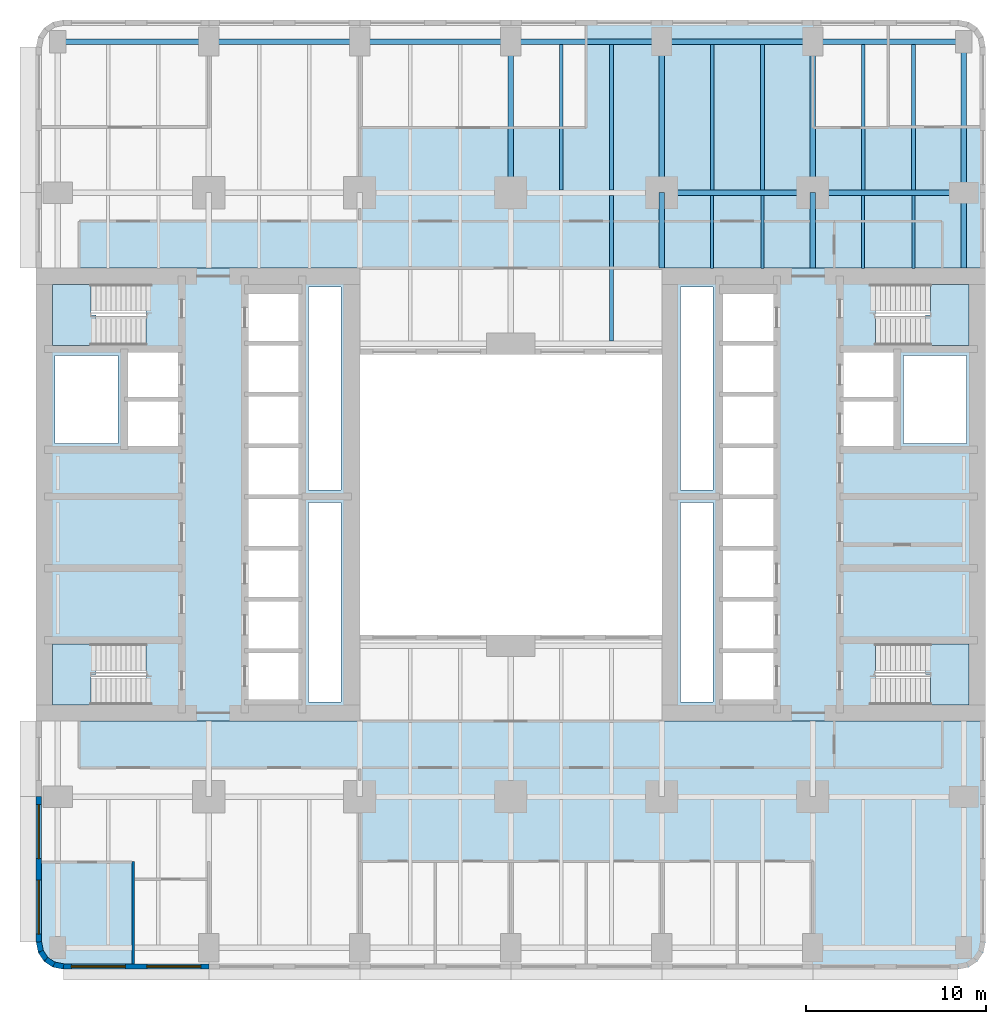
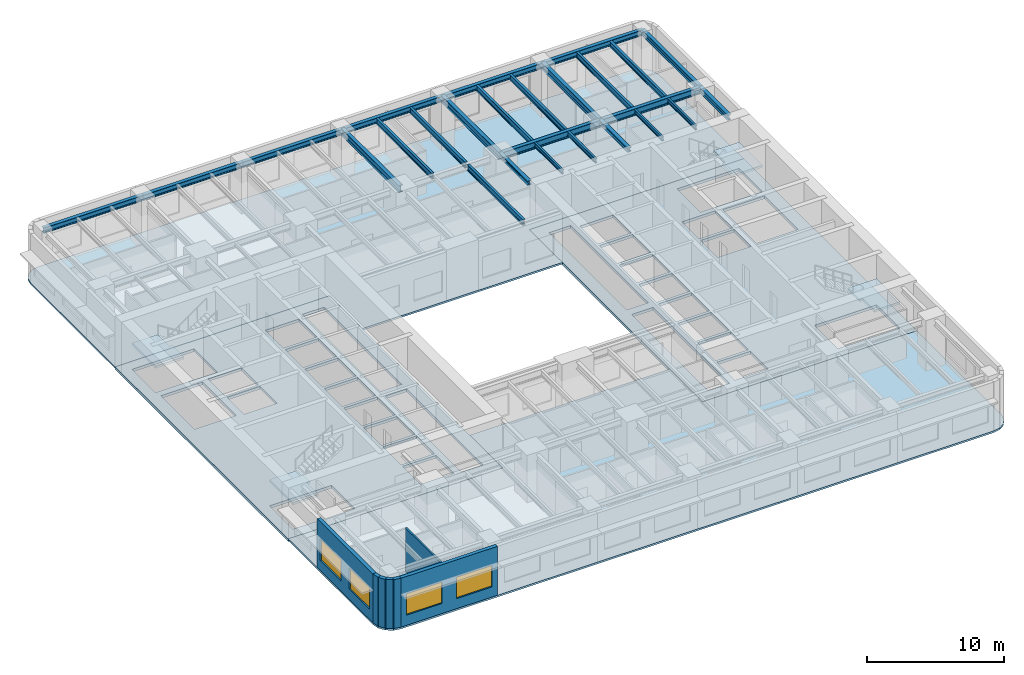
# One storey, part 2 of 12: 26 beams, 8 slabs, 7 walls, 4 windows, 4 openings, 4 elements without a shape of their own.
"""IFC4 building model written with IfcOpenShell, lengths in metres."""

from ifc_helpers import new_model, si_unit, direction, frame, frame_2d, origin, origin_2d, place, context, subcontext, project, spatial, polyline, rectangle, i_section, outline, extrude, material, layer, layer_set, material_profile, profile_set, type_object, element, fill, aggregate, save


model = new_model("IFC4")

# Units and contexts
model_context = context("Model", 3, precision=1e-05, world=origin(), true_north=direction((0.0, 1.0)))
body_context = subcontext(model_context, "Body", "Model", "MODEL_VIEW")
ifc_project = project(units=[si_unit("LENGTHUNIT", "METRE"), si_unit("AREAUNIT", "SQUARE_METRE"), si_unit("VOLUMEUNIT", "CUBIC_METRE"), si_unit("PLANEANGLEUNIT", "RADIAN"), si_unit("MASSUNIT", "GRAM", prefix="KILO")], contexts=[model_context])

# Site, building, storey
site_placement = place(None, origin())
site = spatial("IfcSite", under=ifc_project, at=site_placement, CompositionType="ELEMENT")
building_placement = place(site_placement, origin())
building = spatial("IfcBuilding", under=site, at=building_placement, Name="Claustro Exchange Tower", CompositionType="ELEMENT")
storey_placement = place(building_placement, frame((0.0, 0.0, 63.89990234375)))
storey = spatial("IfcBuildingStorey", under=building, at=storey_placement, Name="L14", CompositionType="ELEMENT", Elevation=63.89990234375)

# Beams
ifc_material_1 = material(Name="Steel S355", Category="steel")
ifc_material_profile_1 = material_profile(ifc_material_1, i_section(OverallWidth=0.300048828125, OverallDepth=0.60009765625, WebThickness=0.015380859375, FlangeThickness=0.030029296875, FilletRadius=0.027099609375, at=origin_2d()), Name="HE 600 B")
ifc_profile_set_1 = profile_set([ifc_material_profile_1], Name="Steel S355")
beam_type_1 = type_object("IfcBeamType", Name="B1 HE 600 B floor girder", PredefinedType="BEAM", material=ifc_profile_set_1)
for number, where, z_axis, x_axis, name in (
    (1, (25.199951171875, 42.0, 4.0400390625), (0.0, 1.0, 0.0), (-1.0, 0.0, 0.0), "Beam B1 L15"),
    (2, (33.60009765625, 42.0, 4.0400390625), (0.0, 1.0, 0.0), (-1.0, 0.0, 0.0), "Beam B1 L15"),
    (3, (42.0, 42.0, 4.0400390625), (0.0, 1.0, 0.0), (-1.0, 0.0, 0.0), "Beam B1 L15"),
    (4, (33.60009765625, 42.0, 4.0400390625), (1.0, 0.0, 0.0), (0.0, 1.0, 0.0), "Beam B1 L15"),
    (5, (42.0, 42.0, 4.0400390625), (1.0, 0.0, 0.0), (0.0, 1.0, 0.0), "Beam B1 L15"),
):
    element("IfcBeam", number, at=place(storey_placement, frame(where, z_axis=z_axis, x_axis=x_axis)), inside=storey, type_object=beam_type_1, Name=name, PredefinedType="BEAM", context=body_context, shape_type="SweptSolid", body=[
        extrude(i_section(OverallWidth=0.300048828125, OverallDepth=0.60009765625, WebThickness=0.015380859375, FlangeThickness=0.030029296875, FilletRadius=0.027099609375, at=origin_2d()), origin(), (0.0, 0.0, 1.0), 8.39990234375),
    ])
ifc_material_2 = material(Name="Steel S355", Category="steel")
ifc_material_profile_2 = material_profile(ifc_material_2, i_section(OverallWidth=0.169921875, OverallDepth=0.360107421875, WebThickness=0.008056640625, FlangeThickness=0.0126953125, FilletRadius=0.01806640625, at=origin_2d()), Name="IPE 360")
ifc_profile_set_2 = profile_set([ifc_material_profile_2], Name="Steel S355")
beam_type_2 = type_object("IfcBeamType", Name="B16 IPE 360 short-span beam", PredefinedType="BEAM", material=ifc_profile_set_2)
for number, where, z_axis, x_axis, name in (
    (6, (36.39990234375, 37.7900390625, 4.16015625), (0.0, 1.0, 0.0), (-1.0, 0.0, 0.0), "Beam B16 L15"),
    (7, (39.199951171875, 37.7900390625, 4.16015625), (0.0, 1.0, 0.0), (-1.0, 0.0, 0.0), "Beam B16 L15"),
    (8, (44.800048828125, 37.7900390625, 4.16015625), (0.0, 1.0, 0.0), (-1.0, 0.0, 0.0), "Beam B16 L15"),
    (9, (47.60009765625, 37.7900390625, 4.16015625), (0.0, 1.0, 0.0), (-1.0, 0.0, 0.0), "Beam B16 L15"),
):
    element("IfcBeam", number, at=place(storey_placement, frame(where, z_axis=z_axis, x_axis=x_axis)), inside=storey, type_object=beam_type_2, Name=name, PredefinedType="BEAM", context=body_context, shape_type="SweptSolid", body=[
        extrude(i_section(OverallWidth=0.169921875, OverallDepth=0.360107421875, WebThickness=0.008056640625, FlangeThickness=0.0126953125, FilletRadius=0.01806640625, at=origin_2d()), origin(), (0.0, 0.0, 1.0), 4.06005859375),
    ])
ifc_material_3 = material(Name="Steel S355", Category="steel")
ifc_material_profile_3 = material_profile(ifc_material_3, i_section(OverallWidth=0.199951171875, OverallDepth=0.5, WebThickness=0.01025390625, FlangeThickness=0.01611328125, FilletRadius=0.02099609375, at=origin_2d()), Name="IPE 500")
ifc_profile_set_3 = profile_set([ifc_material_profile_3], Name="Steel S355")
beam_type_3 = type_object("IfcBeamType", Name="B2 IPE 500 secondary beam", PredefinedType="BEAM", material=ifc_profile_set_3)
for number, where, z_axis, x_axis, name in (
    (10, (30.800048828125, 33.75, 4.090087890625), (0.0, 1.0, 0.0), (-1.0, 0.0, 0.0), "Beam B2 L15"),
    (11, (28.0, 42.14990234375, 4.090087890625), (0.0, 1.0, 0.0), (-1.0, 0.0, 0.0), "Beam B2 L15"),
    (12, (30.800048828125, 42.14990234375, 4.090087890625), (0.0, 1.0, 0.0), (-1.0, 0.0, 0.0), "Beam B2 L15"),
    (13, (36.39990234375, 42.14990234375, 4.090087890625), (0.0, 1.0, 0.0), (-1.0, 0.0, 0.0), "Beam B2 L15"),
    (14, (39.199951171875, 42.14990234375, 4.090087890625), (0.0, 1.0, 0.0), (-1.0, 0.0, 0.0), "Beam B2 L15"),
    (15, (44.800048828125, 42.14990234375, 4.090087890625), (0.0, 1.0, 0.0), (-1.0, 0.0, 0.0), "Beam B2 L15"),
    (16, (47.60009765625, 42.14990234375, 4.090087890625), (0.0, 1.0, 0.0), (-1.0, 0.0, 0.0), "Beam B2 L15"),
):
    element("IfcBeam", number, at=place(storey_placement, frame(where, z_axis=z_axis, x_axis=x_axis)), inside=storey, type_object=beam_type_3, Name=name, PredefinedType="BEAM", context=body_context, shape_type="SweptSolid", body=[
        extrude(i_section(OverallWidth=0.199951171875, OverallDepth=0.5, WebThickness=0.01025390625, FlangeThickness=0.01611328125, FilletRadius=0.02099609375, at=origin_2d()), origin(), (0.0, 0.0, 1.0), 8.10009765625),
    ])
ifc_material_4 = material(Name="Steel S355", Category="steel")
ifc_material_profile_4 = material_profile(ifc_material_4, i_section(OverallWidth=0.300048828125, OverallDepth=0.360107421875, WebThickness=0.012451171875, FlangeThickness=0.0224609375, FilletRadius=0.027099609375, at=origin_2d()), Name="HE 360 B")
ifc_profile_set_4 = profile_set([ifc_material_profile_4], Name="Steel S355")
beam_type_4 = type_object("IfcBeamType", Name="B29 HE 360 B column to core link beam", PredefinedType="BEAM", material=ifc_profile_set_4)
for number, where, z_axis, x_axis, name in (
    (17, (33.60009765625, 37.800048828125, 4.16015625), (0.0, 1.0, 0.0), (-1.0, 0.0, 0.0), "Beam B29 L15"),
    (18, (42.0, 37.800048828125, 4.16015625), (0.0, 1.0, 0.0), (-1.0, 0.0, 0.0), "Beam B29 L15"),
):
    element("IfcBeam", number, at=place(storey_placement, frame(where, z_axis=z_axis, x_axis=x_axis)), inside=storey, type_object=beam_type_4, Name=name, PredefinedType="BEAM", context=body_context, shape_type="SweptSolid", body=[
        extrude(i_section(OverallWidth=0.300048828125, OverallDepth=0.360107421875, WebThickness=0.012451171875, FlangeThickness=0.0224609375, FilletRadius=0.027099609375, at=origin_2d()), origin(), (0.0, 0.0, 1.0), 4.199951171875),
    ])
ifc_material_5 = material(Name="Steel S355", Category="steel")
ifc_material_profile_5 = material_profile(ifc_material_5, i_section(OverallWidth=0.300048828125, OverallDepth=0.5, WebThickness=0.014404296875, FlangeThickness=0.028076171875, FilletRadius=0.027099609375, at=origin_2d()), Name="HE 500 B")
ifc_profile_set_5 = profile_set([ifc_material_profile_5], Name="Steel S355")
beam_type_5 = type_object("IfcBeamType", Name="B3 HE 500 B spandrel edge girder", PredefinedType="SPANDREL", material=ifc_profile_set_5)
beam_1_placement = place(storey_placement, frame((50.39990234375, 37.800048828125, 4.090087890625), z_axis=(0.0, 1.0, 0.0), x_axis=(-1.0, 0.0, 0.0)))
element("IfcBeam", 19, at=beam_1_placement, inside=storey, type_object=beam_type_5, Name="Beam B3 L15", PredefinedType="SPANDREL", context=body_context, shape_type="SweptSolid", body=[
    extrude(i_section(OverallWidth=0.300048828125, OverallDepth=0.5, WebThickness=0.014404296875, FlangeThickness=0.028076171875, FilletRadius=0.027099609375, at=origin_2d()), origin(), (0.0, 0.0, 1.0), 4.199951171875),
])
for number, where, z_axis, x_axis, name in (
    (20, (50.39990234375, 42.0, 4.090087890625), (0.0, 1.0, 0.0), (-1.0, 0.0, 0.0), "Beam B3 L15"),
    (21, (0.0, 50.39990234375, 4.090087890625), (1.0, 0.0, 0.0), (0.0, 1.0, 0.0), "Beam B3 L15"),
):
    element("IfcBeam", number, at=place(storey_placement, frame(where, z_axis=z_axis, x_axis=x_axis)), inside=storey, type_object=beam_type_5, Name=name, PredefinedType="SPANDREL", context=body_context, shape_type="SweptSolid", body=[
        extrude(i_section(OverallWidth=0.300048828125, OverallDepth=0.5, WebThickness=0.014404296875, FlangeThickness=0.028076171875, FilletRadius=0.027099609375, at=origin_2d()), origin(), (0.0, 0.0, 1.0), 8.39990234375),
    ])
beam_2_placement = place(storey_placement, frame((8.39990234375, 50.39990234375, 4.090087890625), z_axis=(1.0, 0.0, 0.0), x_axis=(0.0, 1.0, 0.0)))
element("IfcBeam", 22, at=beam_2_placement, inside=storey, type_object=beam_type_5, Name="Beam B3 L15", PredefinedType="SPANDREL", context=body_context, shape_type="SweptSolid", body=[
    extrude(i_section(OverallWidth=0.300048828125, OverallDepth=0.5, WebThickness=0.014404296875, FlangeThickness=0.028076171875, FilletRadius=0.027099609375, at=origin_2d()), origin(), (0.0, 0.0, 1.0), 8.400146484375),
])
beam_3_placement = place(storey_placement, frame((16.800048828125, 50.39990234375, 4.090087890625), z_axis=(1.0, 0.0, 0.0), x_axis=(0.0, 1.0, 0.0)))
element("IfcBeam", 23, at=beam_3_placement, inside=storey, type_object=beam_type_5, Name="Beam B3 L15", PredefinedType="SPANDREL", context=body_context, shape_type="SweptSolid", body=[
    extrude(i_section(OverallWidth=0.300048828125, OverallDepth=0.5, WebThickness=0.014404296875, FlangeThickness=0.028076171875, FilletRadius=0.027099609375, at=origin_2d()), origin(), (0.0, 0.0, 1.0), 8.39990234375),
])
beam_4_placement = place(storey_placement, frame((25.199951171875, 50.39990234375, 4.090087890625), z_axis=(1.0, 0.0, 0.0), x_axis=(0.0, 1.0, 0.0)))
element("IfcBeam", 24, at=beam_4_placement, inside=storey, type_object=beam_type_5, Name="Beam B3 L15", PredefinedType="SPANDREL", context=body_context, shape_type="SweptSolid", body=[
    extrude(i_section(OverallWidth=0.300048828125, OverallDepth=0.5, WebThickness=0.014404296875, FlangeThickness=0.028076171875, FilletRadius=0.027099609375, at=origin_2d()), origin(), (0.0, 0.0, 1.0), 8.400146484375),
])
for number, where, z_axis, x_axis, name in (
    (25, (33.60009765625, 50.39990234375, 4.090087890625), (1.0, 0.0, 0.0), (0.0, 1.0, 0.0), "Beam B3 L15"),
    (26, (42.0, 50.39990234375, 4.090087890625), (1.0, 0.0, 0.0), (0.0, 1.0, 0.0), "Beam B3 L15"),
):
    element("IfcBeam", number, at=place(storey_placement, frame(where, z_axis=z_axis, x_axis=x_axis)), inside=storey, type_object=beam_type_5, Name=name, PredefinedType="SPANDREL", context=body_context, shape_type="SweptSolid", body=[
        extrude(i_section(OverallWidth=0.300048828125, OverallDepth=0.5, WebThickness=0.014404296875, FlangeThickness=0.028076171875, FilletRadius=0.027099609375, at=origin_2d()), origin(), (0.0, 0.0, 1.0), 8.39990234375),
    ])

# Slabs
ifc_material_6 = material(Name="Concrete HA-50 (C50/60)", Category="concrete")
ifc_layer_1 = layer(ifc_material_6, 0.159912109375)
ifc_layer_set_1 = layer_set([ifc_layer_1], Name="Concrete HA-50 (C50/60)")
slab_type_1 = type_object("IfcSlabType", Name="S1 160 composite floor slab", PredefinedType="FLOOR", material=ifc_layer_set_1)
slab_1_placement = place(storey_placement, frame((0.0, 0.0, -0.159912109375)))
element("IfcSlab", 27, at=slab_1_placement, inside=storey, type_object=slab_type_1, Name="Floor slab S1 S L14", PredefinedType="FLOOR", context=body_context, shape_type="SweptSolid", body=[
    extrude(outline(polyline([(-0.27392578125, -1.085693359375), (0.300048828125, -1.199951171875), (50.10009765625, -1.199951171875), (50.674072265625, -1.085693359375), (51.16064453125, -0.7607421875), (51.48583984375, -0.27392578125), (51.60009765625, 0.300048828125), (51.60009765625, 12.60009765625), (33.60009765625, 12.60009765625), (33.60009765625, 17.39990234375), (16.800048828125, 17.39990234375), (16.800048828125, 12.60009765625), (-1.199951171875, 12.60009765625), (-1.199951171875, 0.300048828125), (-1.085693359375, -0.27392578125), (-0.7607421875, -0.7607421875), (-0.27392578125, -1.085693359375)])), origin(), (0.0, 0.0, 1.0), 0.159912109375),
])
slab_2_placement = place(storey_placement, frame((0.0, 0.0, -0.159912109375)))
element("IfcSlab", 28, at=slab_2_placement, inside=storey, type_object=slab_type_1, Name="Floor slab S1 N L14", PredefinedType="FLOOR", context=body_context, shape_type="SweptSolid", body=[
    extrude(outline(polyline([(16.800048828125, 37.800048828125), (16.800048828125, 33.0), (33.60009765625, 33.0), (33.60009765625, 37.800048828125), (51.60009765625, 37.800048828125), (51.60009765625, 50.10009765625), (51.48583984375, 50.674072265625), (51.16064453125, 51.16064453125), (50.674072265625, 51.48583984375), (50.10009765625, 51.60009765625), (0.300048828125, 51.60009765625), (-0.27392578125, 51.48583984375), (-0.7607421875, 51.16064453125), (-1.085693359375, 50.674072265625), (-1.199951171875, 50.10009765625), (-1.199951171875, 37.800048828125), (16.800048828125, 37.800048828125)])), origin(), (0.0, 0.0, 1.0), 0.159912109375),
])
ifc_material_7 = material(Name="Concrete HA-50 (C50/60)", Category="concrete")
ifc_layer_2 = layer(ifc_material_7, 0.25)
ifc_layer_set_2 = layer_set([ifc_layer_2], Name="Concrete HA-50 (C50/60)")
slab_type_2 = type_object("IfcSlabType", Name="S7 250 core floor slab", PredefinedType="FLOOR", material=ifc_layer_set_2)
slab_3_placement = place(storey_placement, frame((0.0, 0.0, -0.25)))
element("IfcSlab", 29, at=slab_3_placement, inside=storey, type_object=slab_type_2, Name="Core floor slab S7 W core L14", PredefinedType="FLOOR", context=body_context, shape_type="SweptSolid", body=[
    extrude(outline(polyline([(-1.199951171875, 12.60009765625), (16.800048828125, 12.60009765625), (16.800048828125, 37.800048828125), (-1.199951171875, 37.800048828125), (-1.199951171875, 12.60009765625)]), holes=[polyline([(15.75, 24.75), (15.75, 13.64990234375), (13.949951171875, 13.64990234375), (13.949951171875, 24.75), (15.75, 24.75)]), polyline([(15.75, 36.75), (15.75, 25.449951171875), (13.949951171875, 25.449951171875), (13.949951171875, 36.75), (15.75, 36.75)]), polyline([(10.60009765625, 16.39990234375), (13.39990234375, 16.39990234375), (13.39990234375, 13.800048828125), (10.60009765625, 13.800048828125), (10.60009765625, 16.39990234375)]), polyline([(13.39990234375, 19.25), (13.39990234375, 16.64990234375), (10.60009765625, 16.64990234375), (10.60009765625, 19.25), (13.39990234375, 19.25)]), polyline([(13.39990234375, 22.10009765625), (13.39990234375, 19.5), (10.60009765625, 19.5), (10.60009765625, 22.10009765625), (13.39990234375, 22.10009765625)]), polyline([(13.39990234375, 24.949951171875), (13.39990234375, 22.35009765625), (10.60009765625, 22.35009765625), (10.60009765625, 24.949951171875), (13.39990234375, 24.949951171875)]), polyline([(13.39990234375, 27.800048828125), (13.39990234375, 25.199951171875), (10.60009765625, 25.199951171875), (10.60009765625, 27.800048828125), (13.39990234375, 27.800048828125)]), polyline([(13.39990234375, 30.64990234375), (13.39990234375, 28.050048828125), (10.60009765625, 28.050048828125), (10.60009765625, 30.64990234375), (13.39990234375, 30.64990234375)]), polyline([(13.39990234375, 33.5), (13.39990234375, 30.89990234375), (10.60009765625, 30.89990234375), (10.60009765625, 33.5), (13.39990234375, 33.5)]), polyline([(13.39990234375, 36.35009765625), (13.39990234375, 33.75), (10.60009765625, 33.75), (10.60009765625, 36.35009765625), (13.39990234375, 36.35009765625)]), polyline([(6.699951171875, 30.375), (6.699951171875, 27.89990234375), (3.89990234375, 27.89990234375), (3.89990234375, 30.375), (6.699951171875, 30.375)]), polyline([(6.699951171875, 33.10009765625), (6.699951171875, 30.625), (3.89990234375, 30.625), (3.89990234375, 33.10009765625), (6.699951171875, 33.10009765625)]), polyline([(-0.300048828125, 15.199951171875), (-0.300048828125, 16.89990234375), (4.9150390625, 16.89990234375), (4.9150390625, 15.199951171875), (4.919921875, 15.199951171875), (4.919921875, 13.5), (-0.300048828125, 13.5), (-0.300048828125, 15.199951171875)]), polyline([(-0.300048828125, 36.89990234375), (4.919921875, 36.89990234375), (4.919921875, 35.199951171875), (4.9150390625, 35.199951171875), (4.9150390625, 33.5), (-0.300048828125, 33.5), (-0.300048828125, 35.199951171875), (-0.300048828125, 36.89990234375)]), polyline([(3.35009765625, 32.949951171875), (3.35009765625, 28.050048828125), (-0.14990234375, 28.050048828125), (-0.14990234375, 32.949951171875), (3.35009765625, 32.949951171875)])]), origin(), (0.0, 0.0, 1.0), 0.25),
])
slab_4_placement = place(storey_placement, frame((0.0, 0.0, -0.25)))
element("IfcSlab", 30, at=slab_4_placement, inside=storey, type_object=slab_type_2, Name="Core floor slab S7 E core L14", PredefinedType="FLOOR", context=body_context, shape_type="SweptSolid", body=[
    extrude(outline(polyline([(33.60009765625, 12.60009765625), (51.60009765625, 12.60009765625), (51.60009765625, 37.800048828125), (33.60009765625, 37.800048828125), (33.60009765625, 12.60009765625)]), holes=[polyline([(45.47998046875, 35.199951171875), (45.47998046875, 36.89990234375), (50.699951171875, 36.89990234375), (50.699951171875, 35.199951171875), (50.699951171875, 33.5), (45.485107421875, 33.5), (45.485107421875, 35.199951171875), (45.47998046875, 35.199951171875)]), polyline([(45.485107421875, 15.199951171875), (45.485107421875, 16.89990234375), (50.699951171875, 16.89990234375), (50.699951171875, 15.199951171875), (50.699951171875, 13.5), (45.47998046875, 13.5), (45.47998046875, 15.199951171875), (45.485107421875, 15.199951171875)]), polyline([(50.550048828125, 32.949951171875), (50.550048828125, 28.050048828125), (47.050048828125, 28.050048828125), (47.050048828125, 32.949951171875), (50.550048828125, 32.949951171875)]), polyline([(46.5, 30.375), (46.5, 27.89990234375), (43.699951171875, 27.89990234375), (43.699951171875, 30.375), (46.5, 30.375)]), polyline([(46.5, 33.10009765625), (46.5, 30.625), (43.699951171875, 30.625), (43.699951171875, 33.10009765625), (46.5, 33.10009765625)]), polyline([(37.0, 16.39990234375), (39.800048828125, 16.39990234375), (39.800048828125, 13.800048828125), (37.0, 13.800048828125), (37.0, 16.39990234375)]), polyline([(39.800048828125, 19.25), (39.800048828125, 16.64990234375), (37.0, 16.64990234375), (37.0, 19.25), (39.800048828125, 19.25)]), polyline([(39.800048828125, 22.10009765625), (39.800048828125, 19.5), (37.0, 19.5), (37.0, 22.10009765625), (39.800048828125, 22.10009765625)]), polyline([(39.800048828125, 24.949951171875), (39.800048828125, 22.35009765625), (37.0, 22.35009765625), (37.0, 24.949951171875), (39.800048828125, 24.949951171875)]), polyline([(39.800048828125, 27.800048828125), (39.800048828125, 25.199951171875), (37.0, 25.199951171875), (37.0, 27.800048828125), (39.800048828125, 27.800048828125)]), polyline([(39.800048828125, 30.64990234375), (39.800048828125, 28.050048828125), (37.0, 28.050048828125), (37.0, 30.64990234375), (39.800048828125, 30.64990234375)]), polyline([(39.800048828125, 33.5), (39.800048828125, 30.89990234375), (37.0, 30.89990234375), (37.0, 33.5), (39.800048828125, 33.5)]), polyline([(39.800048828125, 36.35009765625), (39.800048828125, 33.75), (37.0, 33.75), (37.0, 36.35009765625), (39.800048828125, 36.35009765625)]), polyline([(36.449951171875, 24.75), (36.449951171875, 13.64990234375), (34.64990234375, 13.64990234375), (34.64990234375, 24.75), (36.449951171875, 24.75)]), polyline([(36.449951171875, 36.75), (36.449951171875, 25.449951171875), (34.64990234375, 25.449951171875), (34.64990234375, 36.75), (36.449951171875, 36.75)])]), origin(), (0.0, 0.0, 1.0), 0.25),
])

# Stair, slab
ifc_material_8 = material(Name="Concrete HA-30 (C30/37), precast", Category="concrete")
stair_type = type_object("IfcStairType", Name="ST2 half-turn stair, 25 risers of 180", PredefinedType="HALF_TURN_STAIR", material=ifc_material_8)
stair_1_placement = place(storey_placement, origin())
stair_1 = element("IfcStair", 31, at=stair_1_placement, inside=storey, type_object=stair_type, Name="Stair STWA L14", PredefinedType="HALF_TURN_STAIR")
ifc_material_9 = material(Name="Concrete HA-30 (C30/37), precast", Category="concrete")
ifc_layer_3 = layer(ifc_material_9, 0.199951171875)
ifc_layer_set_3 = layer_set([ifc_layer_3], Name="Concrete HA-30 (C30/37), precast")
slab_type_3 = type_object("IfcSlabType", Name="S9 200 stair landing", PredefinedType="LANDING", material=ifc_layer_set_3)
slab_5_placement = place(storey_placement, frame((0.0, 0.0, 2.14013671875)))
slab_5 = element("IfcSlab", 32, at=slab_5_placement, type_object=slab_type_3, Name="STWA landing 1", PredefinedType="LANDING", context=body_context, shape_type="SweptSolid", body=[
    extrude(outline(polyline([(1.844970703125, 13.5), (-0.300048828125, 13.5), (-0.300048828125, 16.89990234375), (1.840087890625, 16.89990234375), (1.844970703125, 16.89990234375), (2.1201171875, 16.89990234375), (2.1201171875, 15.199951171875), (1.844970703125, 15.199951171875), (1.844970703125, 13.5)])), origin(), (0.0, 0.0, 1.0), 0.199951171875),
])
aggregate(stair_1, [slab_5])

stair_2_placement = place(storey_placement, origin())
stair_2 = element("IfcStair", 33, at=stair_2_placement, inside=storey, type_object=stair_type, Name="Stair STWB L14", PredefinedType="HALF_TURN_STAIR")
slab_6_placement = place(storey_placement, frame((0.0, 0.0, 2.14013671875)))
slab_6 = element("IfcSlab", 34, at=slab_6_placement, type_object=slab_type_3, Name="STWB landing 1", PredefinedType="LANDING", context=body_context, shape_type="SweptSolid", body=[
    extrude(outline(polyline([(2.1201171875, 35.199951171875), (2.1201171875, 33.5), (1.844970703125, 33.5), (1.840087890625, 33.5), (-0.300048828125, 33.5), (-0.300048828125, 36.89990234375), (1.844970703125, 36.89990234375), (1.844970703125, 35.199951171875), (2.1201171875, 35.199951171875)])), origin(), (0.0, 0.0, 1.0), 0.199951171875),
])
aggregate(stair_2, [slab_6])

stair_3_placement = place(storey_placement, origin())
stair_3 = element("IfcStair", 35, at=stair_3_placement, inside=storey, type_object=stair_type, Name="Stair STEA L14", PredefinedType="HALF_TURN_STAIR")
slab_7_placement = place(storey_placement, frame((0.0, 0.0, 2.14013671875)))
slab_7 = element("IfcSlab", 36, at=slab_7_placement, type_object=slab_type_3, Name="STEA landing 1", PredefinedType="LANDING", context=body_context, shape_type="SweptSolid", body=[
    extrude(outline(polyline([(50.699951171875, 16.89990234375), (50.699951171875, 13.5), (48.554931640625, 13.5), (48.554931640625, 15.199951171875), (48.280029296875, 15.199951171875), (48.280029296875, 16.89990234375), (48.554931640625, 16.89990234375), (48.56005859375, 16.89990234375), (50.699951171875, 16.89990234375)])), origin(), (0.0, 0.0, 1.0), 0.199951171875),
])
aggregate(stair_3, [slab_7])

stair_4_placement = place(storey_placement, origin())
stair_4 = element("IfcStair", 37, at=stair_4_placement, inside=storey, type_object=stair_type, Name="Stair STEB L14", PredefinedType="HALF_TURN_STAIR")
slab_8_placement = place(storey_placement, frame((0.0, 0.0, 2.14013671875)))
slab_8 = element("IfcSlab", 38, at=slab_8_placement, type_object=slab_type_3, Name="STEB landing 1", PredefinedType="LANDING", context=body_context, shape_type="SweptSolid", body=[
    extrude(outline(polyline([(48.280029296875, 33.5), (48.280029296875, 35.199951171875), (48.554931640625, 35.199951171875), (48.554931640625, 36.89990234375), (50.699951171875, 36.89990234375), (50.699951171875, 33.5), (48.56005859375, 33.5), (48.554931640625, 33.5), (48.280029296875, 33.5)])), origin(), (0.0, 0.0, 1.0), 0.199951171875),
])
aggregate(stair_4, [slab_8])

# Wall
ifc_material_10 = material(Name="Gypsum board on steel studs", Category="steel")
ifc_layer_4 = layer(ifc_material_10, 0.14990234375)
ifc_layer_set_4 = layer_set([ifc_layer_4], Name="Gypsum board on steel studs")
wall_type_1 = type_object("IfcWallType", Name="P1 150 plasterboard partition", PredefinedType="PARTITIONING", material=ifc_layer_set_4)
wall_1_placement = place(storey_placement, frame((4.199951171875, -0.902099609375, 0.0), z_axis=(0.0, 0.0, 1.0), x_axis=(0.0, 1.0, 0.0)))
element("IfcWall", 39, at=wall_1_placement, inside=storey, type_object=wall_type_1, Name="Partition P1 L14", PredefinedType="PARTITIONING", context=body_context, shape_type="SweptSolid", body=[
    extrude(rectangle(XDim=5.7021484375, YDim=0.14990234375, at=frame_2d((2.85107421875, 0.0))), origin(), (0.0, 0.0, 1.0), 3.840087890625),
])

# Wall, openings, windows
ifc_material_11 = material(Name="Concrete HA-40 (C40/50), precast, white cement, acid-etched", Category="concrete")
ifc_layer_5 = layer(ifc_material_11, 0.300048828125)
ifc_layer_set_5 = layer_set([ifc_layer_5], Name="Concrete HA-40 (C40/50), precast, white cement, acid-etched")
wall_type_2 = type_object("IfcWallType", Name="PC1 300 precast concrete pier panel", PredefinedType="SOLIDWALL", material=ifc_layer_set_5)
wall_2_placement = place(storey_placement, frame((8.39990234375, -1.050048828125, 0.0), z_axis=(0.0, 0.0, 1.0), x_axis=(-1.0, 0.0, 0.0)))
wall_2 = element("IfcWall", 40, at=wall_2_placement, inside=storey, type_object=wall_type_2, Name="Precast pier panel PC1 L14", PredefinedType="SOLIDWALL", context=body_context, shape_type="SweptSolid", body=[
    extrude(rectangle(XDim=8.085205078125, YDim=0.300048828125, at=frame_2d((4.04248046875, 0.0))), origin(), (0.0, 0.0, 1.0), 4.340087890625),
])
opening_1_placement = place(wall_2_placement, frame((0.442626953125, 0.0, 0.89990234375)))
opening_1 = element("IfcOpeningElement", 41, at=opening_1_placement, cuts=wall_2, Name="Opening W1", PredefinedType="OPENING", context=body_context, shape_type="SweptSolid", body=[
    extrude(rectangle(XDim=3.0, YDim=1.89990234375, at=frame_2d((1.5, 0.949951171875))), frame((0.0, 0.159912109375, 0.0), z_axis=(0.0, -1.0, 0.0), x_axis=(1.0, 0.0, 0.0)), (0.0, 0.0, 1.0), 0.320068359375),
])
opening_2_placement = place(wall_2_placement, frame((4.642578125, 0.0, 0.89990234375)))
opening_2 = element("IfcOpeningElement", 42, at=opening_2_placement, cuts=wall_2, Name="Opening W1", PredefinedType="OPENING", context=body_context, shape_type="SweptSolid", body=[
    extrude(rectangle(XDim=3.0, YDim=1.89990234375, at=frame_2d((1.5, 0.949951171875))), frame((0.0, 0.159912109375, 0.0), z_axis=(0.0, -1.0, 0.0), x_axis=(1.0, 0.0, 0.0)), (0.0, 0.0, 1.0), 0.320068359375),
])
ifc_material_12 = material(Name="Aluminium frame, clear double glazing", Category="aluminium")
window_type = type_object("IfcWindowType", Name="W1 3000 x 1900 window", PartitioningType="SINGLE_PANEL", PredefinedType="WINDOW", material=ifc_material_12)
window_1_placement = place(opening_1_placement, origin())
window_1 = element("IfcWindow", 43, at=window_1_placement, inside=storey, type_object=window_type, Name="Window W1 L14", OverallHeight=1.89990234375, OverallWidth=3.0, PartitioningType="SINGLE_PANEL", PredefinedType="WINDOW", context=body_context, shape_type="SweptSolid", body=[
    extrude(rectangle(XDim=3.0, YDim=1.89990234375, at=frame_2d((1.5, 0.949951171875))), frame((0.0, 0.030029296875, 0.0), z_axis=(0.0, -1.0, 0.0), x_axis=(1.0, 0.0, 0.0)), (0.0, 0.0, 1.0), 0.06005859375),
])
fill(opening_1, window_1)
window_2_placement = place(opening_2_placement, origin())
window_2 = element("IfcWindow", 44, at=window_2_placement, inside=storey, type_object=window_type, Name="Window W1 L14", OverallHeight=1.89990234375, OverallWidth=3.0, PartitioningType="SINGLE_PANEL", PredefinedType="WINDOW", context=body_context, shape_type="SweptSolid", body=[
    extrude(rectangle(XDim=3.0, YDim=1.89990234375, at=frame_2d((1.5, 0.949951171875))), frame((0.0, 0.030029296875, 0.0), z_axis=(0.0, -1.0, 0.0), x_axis=(1.0, 0.0, 0.0)), (0.0, 0.0, 1.0), 0.06005859375),
])
fill(opening_2, window_2)

# Walls
wall_3_placement = place(storey_placement, frame((0.314697265625, -1.050048828125, 0.0), z_axis=(0.0, 0.0, 1.0), x_axis=(-0.980788534345, 0.195073962632, 0.0)))
element("IfcWall", 45, at=wall_3_placement, inside=storey, type_object=wall_type_2, Name="Precast pier panel PC1 L14", PredefinedType="SOLIDWALL", context=body_context, shape_type="SweptSolid", body=[
    extrude(rectangle(XDim=0.540771484375, YDim=0.300048828125, at=frame_2d((0.2705078125, 0.0))), origin(), (0.0, 0.0, 1.0), 4.340087890625),
])
for number, where, z_axis, x_axis, name in (
    (46, (-0.215576171875, -0.944580078125, 0.0), (0.0, 0.0, 1.0), (-0.831478144188, 0.555557463938, 0.0), "Precast pier panel PC1 L14"),
    (47, (-0.652587890625, -0.652587890625, 0.0), (0.0, 0.0, 1.0), (-0.555557463938, 0.831478144188, 0.0), "Precast pier panel PC1 L14"),
):
    element("IfcWall", number, at=place(storey_placement, frame(where, z_axis=z_axis, x_axis=x_axis)), inside=storey, type_object=wall_type_2, Name=name, PredefinedType="SOLIDWALL", context=body_context, shape_type="SweptSolid", body=[
        extrude(rectangle(XDim=0.525634765625, YDim=0.300048828125, at=frame_2d((0.2626953125, 0.0))), origin(), (0.0, 0.0, 1.0), 4.340087890625),
    ])
wall_4_placement = place(storey_placement, frame((-0.944580078125, -0.215576171875, 0.0), z_axis=(0.0, 0.0, 1.0), x_axis=(-0.195073962632, 0.980788534345, 0.0)))
element("IfcWall", 48, at=wall_4_placement, inside=storey, type_object=wall_type_2, Name="Precast pier panel PC1 L14", PredefinedType="SOLIDWALL", context=body_context, shape_type="SweptSolid", body=[
    extrude(rectangle(XDim=0.540771484375, YDim=0.300048828125, at=frame_2d((0.2705078125, 0.0))), origin(), (0.0, 0.0, 1.0), 4.340087890625),
])

# Wall, openings, windows
wall_5_placement = place(storey_placement, frame((-1.050048828125, 0.314697265625, 0.0), z_axis=(0.0, 0.0, 1.0), x_axis=(0.0, 1.0, 0.0)))
wall_5 = element("IfcWall", 49, at=wall_5_placement, inside=storey, type_object=wall_type_2, Name="Precast pier panel PC1 L14", PredefinedType="SOLIDWALL", context=body_context, shape_type="SweptSolid", body=[
    extrude(rectangle(XDim=8.085205078125, YDim=0.300048828125, at=frame_2d((4.04248046875, 0.0))), origin(), (0.0, 0.0, 1.0), 4.340087890625),
])
opening_3_placement = place(wall_5_placement, frame((0.442626953125, 0.0, 0.89990234375)))
opening_3 = element("IfcOpeningElement", 50, at=opening_3_placement, cuts=wall_5, Name="Opening W1", PredefinedType="OPENING", context=body_context, shape_type="SweptSolid", body=[
    extrude(rectangle(XDim=3.0, YDim=1.89990234375, at=frame_2d((1.5, 0.949951171875))), frame((0.0, 0.159912109375, 0.0), z_axis=(0.0, -1.0, 0.0), x_axis=(1.0, 0.0, 0.0)), (0.0, 0.0, 1.0), 0.320068359375),
])
opening_4_placement = place(wall_5_placement, frame((4.642578125, 0.0, 0.89990234375)))
opening_4 = element("IfcOpeningElement", 51, at=opening_4_placement, cuts=wall_5, Name="Opening W1", PredefinedType="OPENING", context=body_context, shape_type="SweptSolid", body=[
    extrude(rectangle(XDim=3.0, YDim=1.89990234375, at=frame_2d((1.5, 0.949951171875))), frame((0.0, 0.159912109375, 0.0), z_axis=(0.0, -1.0, 0.0), x_axis=(1.0, 0.0, 0.0)), (0.0, 0.0, 1.0), 0.320068359375),
])
window_3_placement = place(opening_3_placement, origin())
window_3 = element("IfcWindow", 52, at=window_3_placement, inside=storey, type_object=window_type, Name="Window W1 L14", OverallHeight=1.89990234375, OverallWidth=3.0, PartitioningType="SINGLE_PANEL", PredefinedType="WINDOW", context=body_context, shape_type="SweptSolid", body=[
    extrude(rectangle(XDim=3.0, YDim=1.89990234375, at=frame_2d((1.5, 0.949951171875))), frame((0.0, 0.030029296875, 0.0), z_axis=(0.0, -1.0, 0.0), x_axis=(1.0, 0.0, 0.0)), (0.0, 0.0, 1.0), 0.06005859375),
])
fill(opening_3, window_3)
window_4_placement = place(opening_4_placement, origin())
window_4 = element("IfcWindow", 53, at=window_4_placement, inside=storey, type_object=window_type, Name="Window W1 L14", OverallHeight=1.89990234375, OverallWidth=3.0, PartitioningType="SINGLE_PANEL", PredefinedType="WINDOW", context=body_context, shape_type="SweptSolid", body=[
    extrude(rectangle(XDim=3.0, YDim=1.89990234375, at=frame_2d((1.5, 0.949951171875))), frame((0.0, 0.030029296875, 0.0), z_axis=(0.0, -1.0, 0.0), x_axis=(1.0, 0.0, 0.0)), (0.0, 0.0, 1.0), 0.06005859375),
])
fill(opening_4, window_4)

save(model, "model.ifc")
